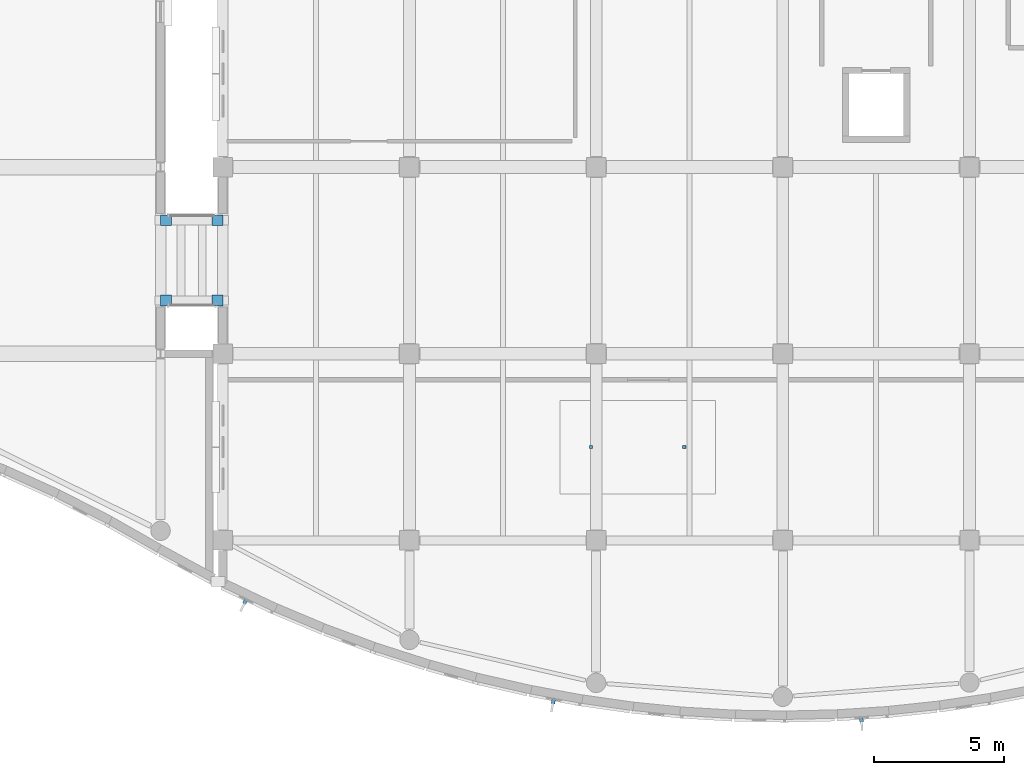
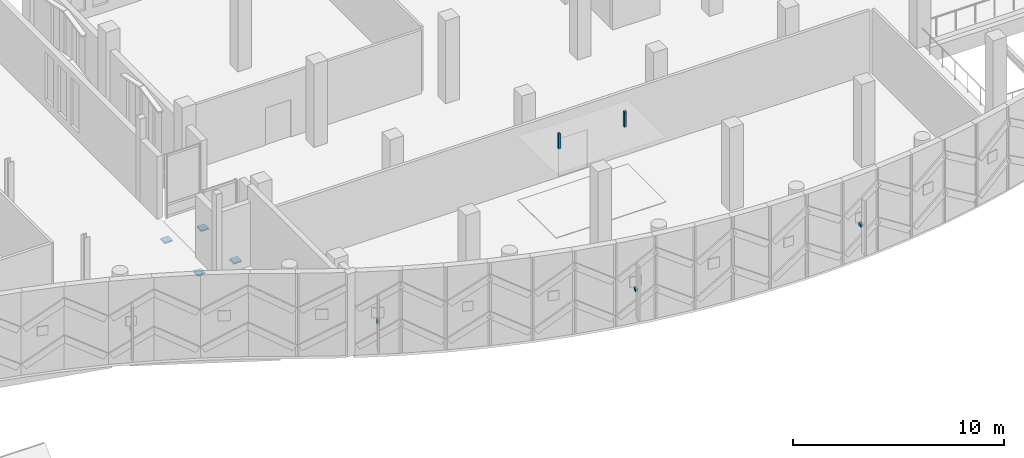
# One storey, part 159 of 193: 9 discrete accessories.
"""IFC4 building model written with IfcOpenShell, lengths in metres."""

from ifc_helpers import new_model, si_unit, direction, frame, origin, origin_2d, place, context, subcontext, project, spatial, rectangle, extrude, material, type_object, element, save


model = new_model("IFC4")

# Units and contexts
model_context = context("Model", 3, precision=1e-05, world=origin(), true_north=direction((0.0, 1.0)))
body_context = subcontext(model_context, "Body", "Model", "MODEL_VIEW")
ifc_project = project(units=[si_unit("LENGTHUNIT", "METRE"), si_unit("AREAUNIT", "SQUARE_METRE"), si_unit("VOLUMEUNIT", "CUBIC_METRE"), si_unit("PLANEANGLEUNIT", "RADIAN"), si_unit("MASSUNIT", "GRAM", prefix="KILO")], contexts=[model_context])

# Site, building, storey
site_placement = place(None, origin())
site = spatial("IfcSite", under=ifc_project, at=site_placement, CompositionType="ELEMENT")
building_placement = place(site_placement, origin())
building = spatial("IfcBuilding", under=site, at=building_placement, Name="Cendralis Lancet Convention Centre", CompositionType="ELEMENT")
storey_placement = place(building_placement, frame((0.0, 0.0, 10.199951171875)))
storey = spatial("IfcBuildingStorey", under=building, at=storey_placement, Name="L02", CompositionType="ELEMENT", Elevation=10.199951171875)

# Discrete accessories
ifc_material_1 = material(Name="Steel S355", Category="steel")
discrete_accessory_type_1 = type_object("IfcDiscreteAccessoryType", Name="ARC-BRK-CLG", PredefinedType="BRACKET", material=ifc_material_1)
for number, where, z_axis, x_axis, name in (
    (1, (146.199951171875, 10.800048828125, 3.68994140625), (0.0, 0.0, 1.0), (1.0, 0.0, 0.0), "L02 Ceiling Suspension Bracket #11-1"),
    (2, (149.800048828125, 10.800048828125, 3.68994140625), (0.0, 0.0, 1.0), (1.0, 0.0, 0.0), "L02 Ceiling Suspension Bracket #11-2"),
):
    element("IfcDiscreteAccessory", number, at=place(storey_placement, frame(where, z_axis=z_axis, x_axis=x_axis)), inside=storey, type_object=discrete_accessory_type_1, Name=name, PredefinedType="BRACKET", context=body_context, shape_type="SweptSolid", body=[
        extrude(rectangle(XDim=0.1201171875, YDim=0.1201171875, at=origin_2d()), origin(), (0.0, 0.0, 1.0), 0.889892578125),
    ])
discrete_accessory_type_2 = type_object("IfcDiscreteAccessoryType", Name="ARC-BRK-FIN", PredefinedType="BRACKET", material=ifc_material_1)
for number, where, z_axis, x_axis, name in (
    (3, (132.873046875, 4.858154296875, 1.93017578125), (0.0, 0.0, 1.0), (0.903507405674, -0.428572476825, 0.0), "Facade Fin Bracket BK-FIN #024"),
    (4, (144.75244140625, 1.009521484375, 1.93017578125), (0.0, 0.0, 1.0), (0.983175298719, -0.182664534019, 0.0), "Facade Fin Bracket BK-FIN #026"),
    (5, (156.632080078125, 0.298583984375, 1.93017578125), (0.0, 0.0, 1.0), (0.997959312839, 0.063853033741, 0.0), "Facade Fin Bracket BK-FIN #028"),
):
    element("IfcDiscreteAccessory", number, at=place(storey_placement, frame(where, z_axis=z_axis, x_axis=x_axis)), inside=storey, type_object=discrete_accessory_type_2, Name=name, PredefinedType="BRACKET", context=body_context, shape_type="SweptSolid", body=[
        extrude(rectangle(XDim=0.139892578125, YDim=0.219970703125, at=origin_2d()), origin(), (0.0, 0.0, 1.0), 0.139892578125),
    ])
ifc_material_2 = material(Name="Elastomeric-PTFE sliding bridge bearing")
discrete_accessory_type_3 = type_object("IfcDiscreteAccessoryType", Name="STR-BRG-PTFE", PredefinedType="SHOE", material=ifc_material_2)
for number, where, z_axis, x_axis, name in (
    (6, (129.81005859375, 16.449951171875, -1.199951171875), (0.0, 0.0, 1.0), (1.0, 0.0, 0.0), "Unguided PTFE Sliding Bridge Bearing SB-PTFE #037"),
    (7, (131.7900390625, 16.449951171875, -1.199951171875), (0.0, 0.0, 1.0), (1.0, 0.0, 0.0), "Unguided PTFE Sliding Bridge Bearing SB-PTFE #038"),
    (8, (129.81005859375, 19.550048828125, -1.199951171875), (0.0, 0.0, 1.0), (1.0, 0.0, 0.0), "Unguided PTFE Sliding Bridge Bearing SB-PTFE #039"),
    (9, (131.7900390625, 19.550048828125, -1.199951171875), (0.0, 0.0, 1.0), (1.0, 0.0, 0.0), "Unguided PTFE Sliding Bridge Bearing SB-PTFE #040"),
):
    element("IfcDiscreteAccessory", number, at=place(storey_placement, frame(where, z_axis=z_axis, x_axis=x_axis)), inside=storey, type_object=discrete_accessory_type_3, Name=name, PredefinedType="SHOE", context=body_context, shape_type="SweptSolid", body=[
        extrude(rectangle(XDim=0.419921875, YDim=0.419921875, at=origin_2d()), origin(), (0.0, 0.0, 1.0), 0.080078125),
    ])

save(model, "model.ifc")
